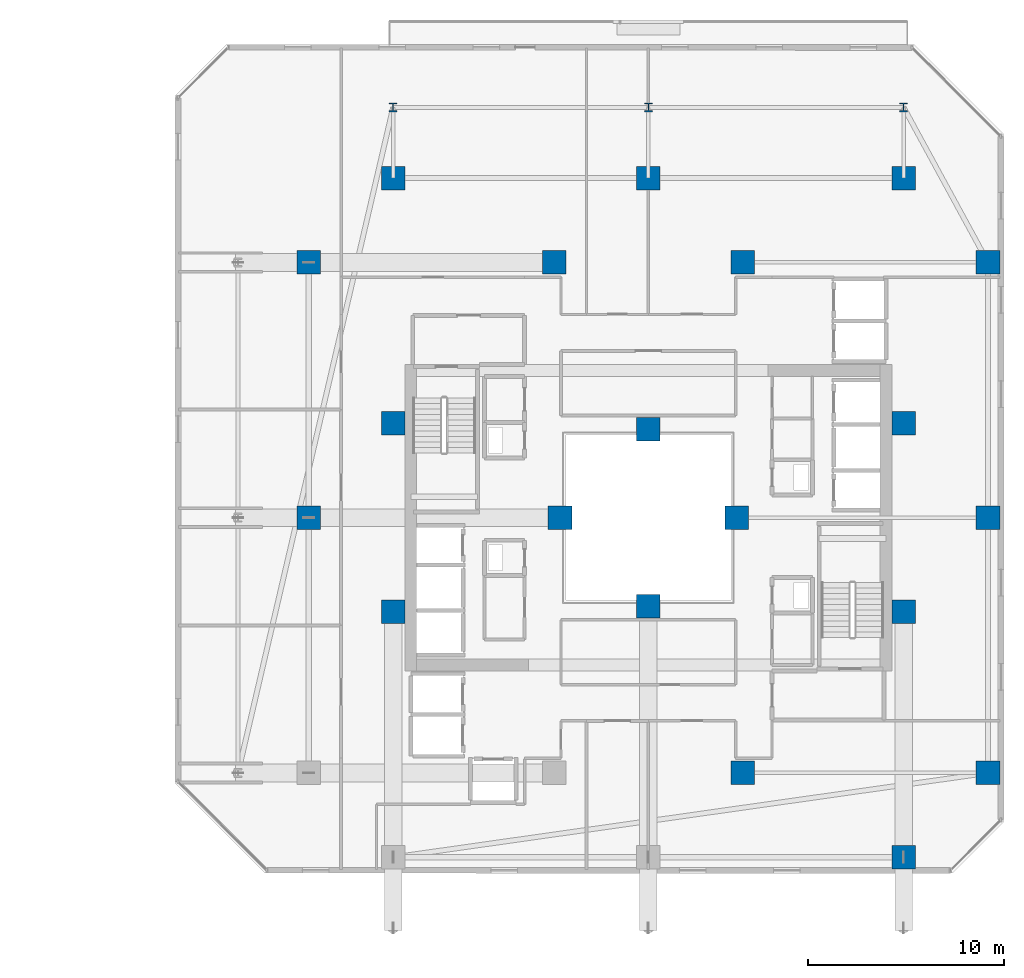
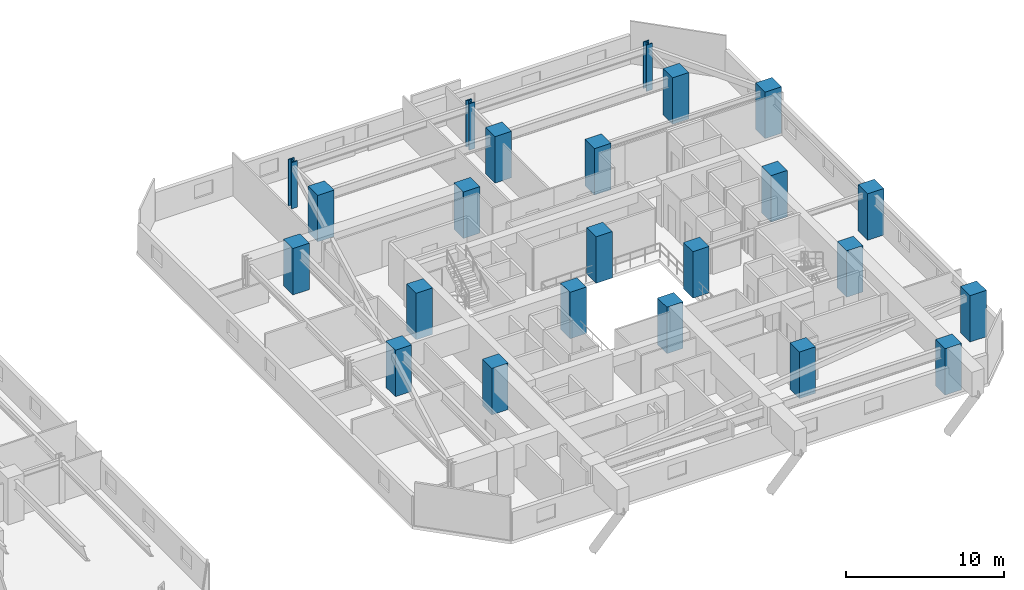
# One storey, part 2 of 36: 23 columns.
"""IFC4 building model written with IfcOpenShell, lengths in metres."""

from ifc_helpers import new_model, si_unit, direction, frame, origin, origin_2d, place, context, subcontext, project, spatial, rectangle, i_section, extrude, material, material_profile, profile_set, type_object, element, save


model = new_model("IFC4")

# Units and contexts
model_context = context("Model", 3, precision=1e-05, world=origin(), true_north=direction((0.0, 1.0)))
body_context = subcontext(model_context, "Body", "Model", "MODEL_VIEW")
ifc_project = project(units=[si_unit("LENGTHUNIT", "METRE"), si_unit("AREAUNIT", "SQUARE_METRE"), si_unit("VOLUMEUNIT", "CUBIC_METRE"), si_unit("PLANEANGLEUNIT", "RADIAN"), si_unit("MASSUNIT", "GRAM", prefix="KILO")], contexts=[model_context])

# Site, building, storey
site_placement = place(None, origin())
site = spatial("IfcSite", under=ifc_project, at=site_placement, CompositionType="ELEMENT")
building_placement = place(site_placement, origin())
building = spatial("IfcBuilding", under=site, at=building_placement, Name="Thornwick Lancets Civic Towers", CompositionType="ELEMENT")
storey_placement = place(building_placement, frame((0.0, 0.0, 94.5)))
storey = spatial("IfcBuildingStorey", under=building, at=storey_placement, Name="L24", CompositionType="ELEMENT", Elevation=94.5)

# Columns
ifc_material_1 = material(Name="Concrete C60/75", Category="concrete")
ifc_material_profile_1 = material_profile(ifc_material_1, rectangle(XDim=1.199951171875, YDim=1.199951171875, at=origin_2d()), Name="RC 1200x1200")
ifc_profile_set_1 = profile_set([ifc_material_profile_1], Name="Concrete C60/75")
column_type_1 = type_object("IfcColumnType", Name="COL_RC_1200", PredefinedType="COLUMN", material=ifc_profile_set_1)
for number, where, z_axis, x_axis, name in (
    (1, (105.800048828125, 14.0, 0.0), (0.0, 0.0, 1.0), (1.0, 0.0, 0.0), "L24 Spine Mega-Column B01"),
    (2, (105.800048828125, 27.0, 0.0), (0.0, 0.0, 1.0), (1.0, 0.0, 0.0), "L24 Spine Mega-Column B02"),
    (3, (105.800048828125, 40.0, 0.0), (0.0, 0.0, 1.0), (1.0, 0.0, 0.0), "L24 Spine Mega-Column B03"),
    (4, (101.5, 44.300048828125, 0.0), (0.0, 0.0, 1.0), (1.0, 0.0, 0.0), "L24 Spine Mega-Column B04"),
    (5, (88.5, 44.300048828125, 0.0), (0.0, 0.0, 1.0), (1.0, 0.0, 0.0), "L24 Spine Mega-Column B05"),
    (6, (75.5, 44.300048828125, 0.0), (0.0, 0.0, 1.0), (1.0, 0.0, 0.0), "L24 Spine Mega-Column B06"),
    (7, (71.199951171875, 27.0, 0.0), (0.0, 0.0, 1.0), (1.0, 0.0, 0.0), "L24 Spine Mega-Column B08"),
    (8, (71.199951171875, 40.0, 0.0), (0.0, 0.0, 1.0), (1.0, 0.0, 0.0), "L24 Spine Mega-Column B09"),
    (9, (101.5, 9.699951171875, 0.0), (0.0, 0.0, 1.0), (1.0, 0.0, 0.0), "L24 Spine Mega-Column B10"),
    (10, (93.300048828125, 14.0, 0.0), (0.0, 0.0, 1.0), (1.0, 0.0, 0.0), "L24 Spine Mega-Column B13"),
    (11, (93.300048828125, 40.0, 0.0), (0.0, 0.0, 1.0), (1.0, 0.0, 0.0), "L24 Spine Mega-Column B14"),
    (12, (83.699951171875, 40.0, 0.0), (0.0, 0.0, 1.0), (1.0, 0.0, 0.0), "L24 Spine Mega-Column B16"),
    (13, (101.5, 22.199951171875, 0.0), (0.0, 0.0, 1.0), (1.0, 0.0, 0.0), "L24 Spine Mega-Column B17"),
    (14, (101.5, 31.800048828125, 0.0), (0.0, 0.0, 1.0), (1.0, 0.0, 0.0), "L24 Spine Mega-Column B18"),
    (15, (75.5, 22.199951171875, 0.0), (0.0, 0.0, 1.0), (1.0, 0.0, 0.0), "L24 Spine Mega-Column B19"),
    (16, (75.5, 31.800048828125, 0.0), (0.0, 0.0, 1.0), (1.0, 0.0, 0.0), "L24 Spine Mega-Column B20"),
    (17, (93.0, 27.0, 0.0), (0.0, 0.0, 1.0), (1.0, 0.0, 0.0), "L24 Spine Mega-Column B21"),
    (18, (84.0, 27.0, 0.0), (0.0, 0.0, 1.0), (1.0, 0.0, 0.0), "L24 Spine Mega-Column B22"),
    (19, (88.5, 22.5, 0.0), (0.0, 0.0, 1.0), (1.0, 0.0, 0.0), "L24 Spine Mega-Column B23"),
    (20, (88.5, 31.5, 0.0), (0.0, 0.0, 1.0), (1.0, 0.0, 0.0), "L24 Spine Mega-Column B24"),
):
    element("IfcColumn", number, at=place(storey_placement, frame(where, z_axis=z_axis, x_axis=x_axis)), inside=storey, type_object=column_type_1, Name=name, PredefinedType="COLUMN", context=body_context, shape_type="SweptSolid", body=[
        extrude(rectangle(XDim=1.199951171875, YDim=1.199951171875, at=origin_2d()), origin(), (0.0, 0.0, 1.0), 3.60009765625),
    ])
ifc_material_2 = material(Name="Steel S460M", Category="steel")
ifc_material_profile_2 = material_profile(ifc_material_2, i_section(OverallWidth=0.41845703125, OverallDepth=0.45556640625, WebThickness=0.0419921875, FlangeThickness=0.0673828125, FilletRadius=0.01513671875, at=origin_2d()), Name="UKC 356x406x551")
ifc_profile_set_2 = profile_set([ifc_material_profile_2], Name="Steel S460M")
column_type_2 = type_object("IfcColumnType", Name="COL_UKC_551", PredefinedType="COLUMN", material=ifc_profile_set_2)
for number, where, z_axis, x_axis, name in (
    (21, (101.5, 47.89990234375, 0.0), (0.0, 0.0, 1.0), (1.0, 0.0, 0.0), "L24 Block Perimeter Column B04"),
    (22, (88.5, 47.89990234375, 0.0), (0.0, 0.0, 1.0), (1.0, 0.0, 0.0), "L24 Block Perimeter Column B05"),
    (23, (75.5, 47.89990234375, 0.0), (0.0, 0.0, 1.0), (1.0, 0.0, 0.0), "L24 Block Perimeter Column B06"),
):
    element("IfcColumn", number, at=place(storey_placement, frame(where, z_axis=z_axis, x_axis=x_axis)), inside=storey, type_object=column_type_2, Name=name, PredefinedType="COLUMN", context=body_context, shape_type="SweptSolid", body=[
        extrude(i_section(OverallWidth=0.41845703125, OverallDepth=0.45556640625, WebThickness=0.0419921875, FlangeThickness=0.0673828125, FilletRadius=0.01513671875, at=origin_2d()), origin(), (0.0, 0.0, 1.0), 3.60009765625),
    ])

save(model, "model.ifc")
